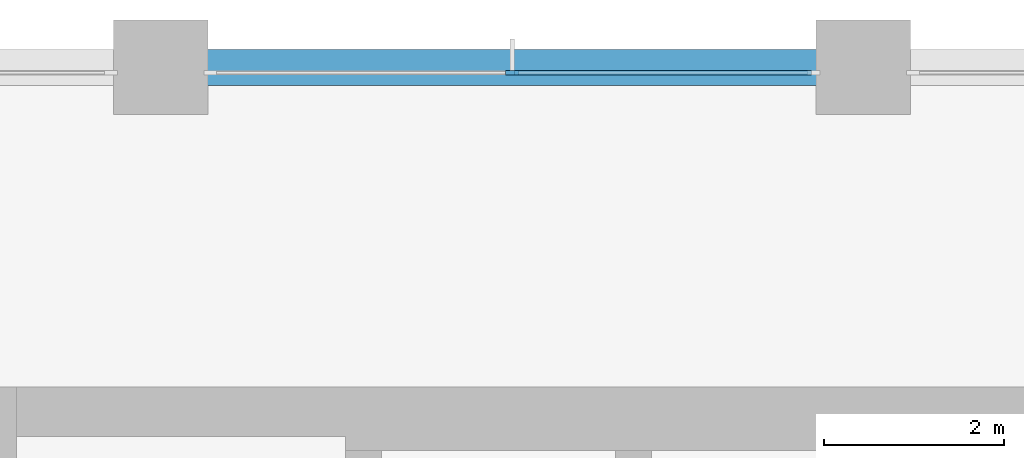
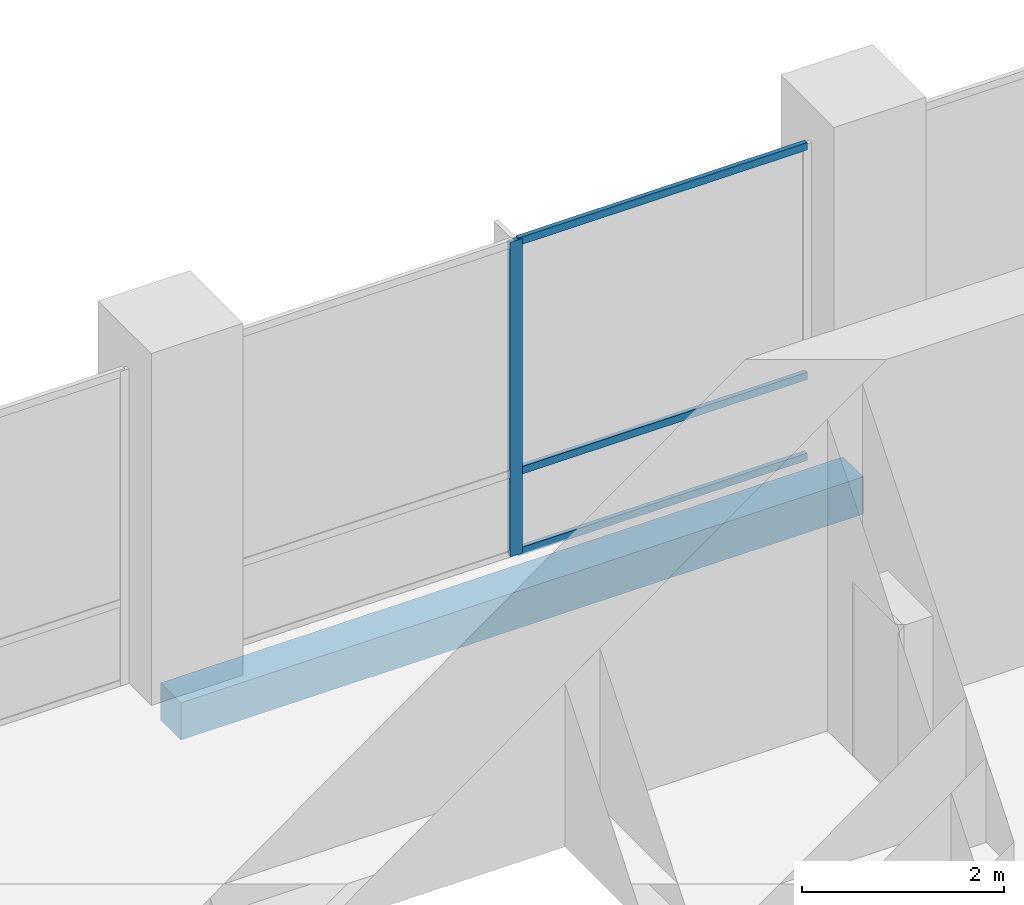
# One storey, part 7 of 31: 4 members, 1 beam, 1 element without a shape of its own.
"""IFC4 building model written with IfcOpenShell, lengths in metres."""

from ifc_helpers import new_model, si_unit, direction, frame, origin, origin_2d, place, context, subcontext, project, spatial, rectangle, extrude, material, material_profile, profile_set, type_object, element, aggregate, save


model = new_model("IFC4")

# Units and contexts
model_context = context("Model", 3, precision=1e-05, world=origin(), true_north=direction((0.0, 1.0)))
body_context = subcontext(model_context, "Body", "Model", "MODEL_VIEW")
ifc_project = project(units=[si_unit("LENGTHUNIT", "METRE"), si_unit("AREAUNIT", "SQUARE_METRE"), si_unit("VOLUMEUNIT", "CUBIC_METRE"), si_unit("PLANEANGLEUNIT", "RADIAN"), si_unit("MASSUNIT", "GRAM", prefix="KILO")], contexts=[model_context])

# Site, building, storey
site_placement = place(None, origin())
site = spatial("IfcSite", under=ifc_project, at=site_placement, CompositionType="ELEMENT")
building_placement = place(site_placement, origin())
building = spatial("IfcBuilding", under=site, at=building_placement, Name="Ludao Terraces", CompositionType="ELEMENT")
storey_placement = place(building_placement, frame((0.0, 0.0, 15.0)))
storey = spatial("IfcBuildingStorey", under=building, at=storey_placement, Name="L03", CompositionType="ELEMENT", Elevation=15.0)

# Curtain wall, members
ifc_material_1 = material(Name="Aluminium curtain wall with fritted glass", Category="aluminium")
curtain_wall_type = type_object("IfcCurtainWallType", Name="ENV CW5 amenity glazing", PredefinedType="NOTDEFINED", material=ifc_material_1)
curtain_wall_placement = place(storey_placement, origin())
curtain_wall = element("IfcCurtainWall", 1, at=curtain_wall_placement, inside=storey, type_object=curtain_wall_type, Name="Amenity glazing L03 N3", PredefinedType="NOTDEFINED")
ifc_material_2 = material(Name="Aluminium 6063-T6", Category="aluminium")
ifc_material_profile_1 = material_profile(ifc_material_2, rectangle(XDim=0.050048828125, YDim=0.139892578125, at=origin_2d()), Name="50 X 140")
ifc_profile_set_1 = profile_set([ifc_material_profile_1], Name="Aluminium 6063-T6")
member_type_1 = type_object("IfcMemberType", Name="ENV CW5 mullion 50x140", PredefinedType="MULLION", material=ifc_profile_set_1)
member_1_placement = place(storey_placement, frame((81.10009765625, 88.340087890625, 0.0), z_axis=(0.0, 0.0, 1.0), x_axis=(0.0, 1.0, 0.0)))
member_1 = element("IfcMember", 2, at=member_1_placement, type_object=member_type_1, Name="CW5 mullion 2", PredefinedType="MULLION", context=body_context, shape_type="SweptSolid", body=[
    extrude(rectangle(XDim=0.050048828125, YDim=0.139892578125, at=origin_2d()), origin(), (0.0, 0.0, 1.0), 3.800048828125),
])
ifc_material_profile_2 = material_profile(ifc_material_2, rectangle(XDim=0.050048828125, YDim=0.090087890625, at=origin_2d()), Name="50 X 90")
ifc_profile_set_2 = profile_set([ifc_material_profile_2], Name="Aluminium 6063-T6")
member_type_2 = type_object("IfcMemberType", Name="ENV CW5 transom 50x90", PredefinedType="USERDEFINED", material=ifc_profile_set_2)
member_2_placement = place(storey_placement, frame((81.125, 88.340087890625, 0.02490234375), z_axis=(1.0, 0.0, 0.0), x_axis=(0.0, 1.0, 0.0)))
member_2 = element("IfcMember", 3, at=member_2_placement, type_object=member_type_2, Name="CW5 transom 2.1", ObjectType="TRANSOM", PredefinedType="USERDEFINED", context=body_context, shape_type="SweptSolid", body=[
    extrude(rectangle(XDim=0.050048828125, YDim=0.090087890625, at=origin_2d()), origin(), (0.0, 0.0, 1.0), 3.300048828125),
])
member_3_placement = place(storey_placement, frame((81.125, 88.340087890625, 1.0), z_axis=(1.0, 0.0, 0.0), x_axis=(0.0, 1.0, 0.0)))
member_3 = element("IfcMember", 4, at=member_3_placement, type_object=member_type_2, Name="CW5 transom 2.2", ObjectType="TRANSOM", PredefinedType="USERDEFINED", context=body_context, shape_type="SweptSolid", body=[
    extrude(rectangle(XDim=0.050048828125, YDim=0.090087890625, at=origin_2d()), origin(), (0.0, 0.0, 1.0), 3.300048828125),
])
member_4_placement = place(storey_placement, frame((81.125, 88.340087890625, 3.77490234375), z_axis=(1.0, 0.0, 0.0), x_axis=(0.0, 1.0, 0.0)))
member_4 = element("IfcMember", 5, at=member_4_placement, type_object=member_type_2, Name="CW5 transom 2.3", ObjectType="TRANSOM", PredefinedType="USERDEFINED", context=body_context, shape_type="SweptSolid", body=[
    extrude(rectangle(XDim=0.050048828125, YDim=0.090087890625, at=origin_2d()), origin(), (0.0, 0.0, 1.0), 3.300048828125),
])
aggregate(curtain_wall, [member_1, member_2, member_3, member_4])

# Beam
ifc_material_3 = material(Name="Concrete C40", Category="concrete")
ifc_material_profile_3 = material_profile(ifc_material_3, rectangle(XDim=0.39990234375, YDim=0.449951171875, at=origin_2d()), Name="400 X 450")
ifc_profile_set_3 = profile_set([ifc_material_profile_3], Name="Concrete C40")
beam_type = type_object("IfcBeamType", Name="RC beam 400x450 C40", PredefinedType="BEAM", material=ifc_profile_set_3)
beam_placement = place(storey_placement, frame((77.199951171875, 88.39990234375, -0.574951171875), z_axis=(1.0, 0.0, 0.0), x_axis=(0.0, 1.0, 0.0)))
element("IfcBeam", 6, at=beam_placement, inside=storey, type_object=beam_type, Name="Spandrel beam L03 N9", PredefinedType="BEAM", context=body_context, shape_type="SweptSolid", body=[
    extrude(rectangle(XDim=0.39990234375, YDim=0.449951171875, at=origin_2d()), origin(), (0.0, 0.0, 1.0), 7.800048828125),
])

save(model, "model.ifc")
